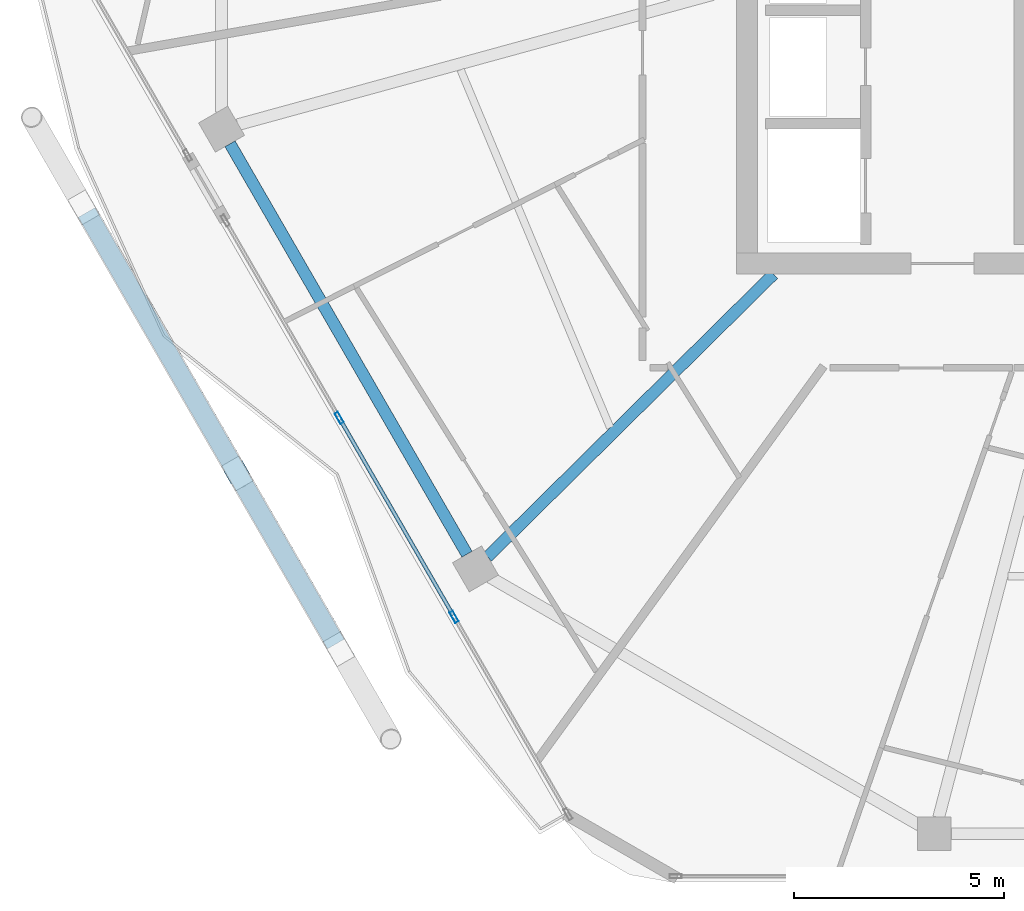
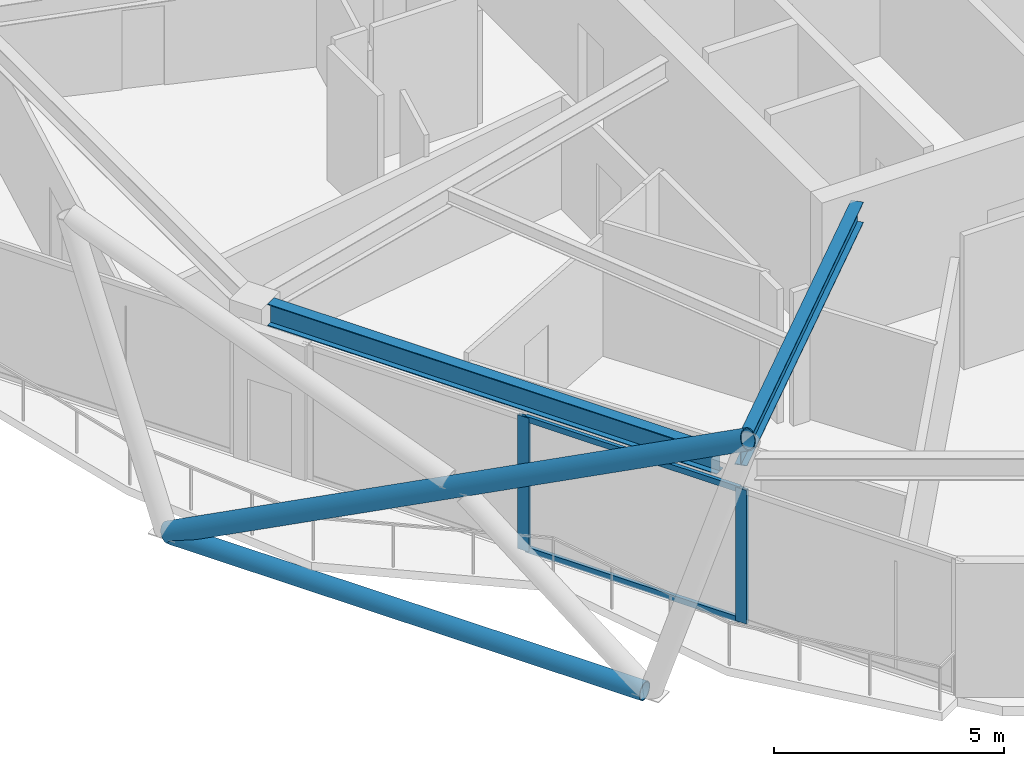
# One storey, part 3 of 24: 6 members, 2 beams, 1 element without a shape of its own.
"""IFC4 building model written with IfcOpenShell, lengths in metres."""

from ifc_helpers import new_model, si_unit, direction, frame, origin, origin_2d, place, context, subcontext, project, spatial, hollow_rectangle, hollow_circle, i_section, extrude, material, material_profile, profile_set, type_object, element, aggregate, save


model = new_model("IFC4")

# Units and contexts
model_context = context("Model", 3, precision=1e-05, world=origin(), true_north=direction((0.0, 1.0)))
body_context = subcontext(model_context, "Body", "Model", "MODEL_VIEW")
ifc_project = project(units=[si_unit("LENGTHUNIT", "METRE"), si_unit("AREAUNIT", "SQUARE_METRE"), si_unit("VOLUMEUNIT", "CUBIC_METRE"), si_unit("PLANEANGLEUNIT", "RADIAN"), si_unit("MASSUNIT", "GRAM", prefix="KILO")], contexts=[model_context])

# Site, building, storey
site_placement = place(None, origin())
site = spatial("IfcSite", under=ifc_project, at=site_placement, CompositionType="ELEMENT")
building_placement = place(site_placement, origin())
building = spatial("IfcBuilding", under=site, at=building_placement, Name="Zuhravey Tower", CompositionType="ELEMENT")
storey_placement = place(building_placement, frame((0.0, 0.0, 308.199951171875)))
storey = spatial("IfcBuildingStorey", under=building, at=storey_placement, Name="L78", CompositionType="ELEMENT", Elevation=308.199951171875)

# Curtain wall, members
ifc_material_1 = material(Name="Thermally broken anodised aluminium", Category="aluminium")
curtain_wall_type = type_object("IfcCurtainWallType", Name="Zone 3-4 High-Rise Curtain Wall CW4", PredefinedType="NOTDEFINED", material=ifc_material_1)
curtain_wall_placement = place(storey_placement, origin())
curtain_wall = element("IfcCurtainWall", 1, at=curtain_wall_placement, inside=storey, type_object=curtain_wall_type, Name="L78 CW4 CW-L78-F4-1", PredefinedType="NOTDEFINED")
ifc_material_2 = material(Name="Anodised aluminium", Category="aluminium")
ifc_material_profile_1 = material_profile(ifc_material_2, hollow_rectangle(XDim=0.090087890625, YDim=0.284912109375, WallThickness=0.0048828125, at=origin_2d()), Name="ALU-RHS-90x285x5")
ifc_profile_set_1 = profile_set([ifc_material_profile_1], Name="Anodised aluminium")
member_type_1 = type_object("IfcMemberType", Name="Curtain-Wall Mullion 90x180", PredefinedType="MULLION", material=ifc_profile_set_1)
member_1_placement = place(storey_placement, frame((18.538330078125, 14.096435546875, 0.0), z_axis=(0.0, 0.0, 1.0), x_axis=(-0.866026127729, -0.49999874609, 0.0)))
member_1 = element("IfcMember", 2, at=member_1_placement, type_object=member_type_1, Name="CW4 mullion 2", PredefinedType="MULLION", context=body_context, shape_type="SweptSolid", body=[
    extrude(hollow_rectangle(XDim=0.090087890625, YDim=0.284912109375, WallThickness=0.0048828125, at=origin_2d()), origin(), (0.0, 0.0, 1.0), 3.550048828125),
])
member_2_placement = place(storey_placement, frame((15.8056640625, 18.82958984375, 0.0), z_axis=(0.0, 0.0, 1.0), x_axis=(-0.866026127729, -0.49999874609, 0.0)))
member_2 = element("IfcMember", 3, at=member_2_placement, type_object=member_type_1, Name="CW4 mullion 3", PredefinedType="MULLION", context=body_context, shape_type="SweptSolid", body=[
    extrude(hollow_rectangle(XDim=0.090087890625, YDim=0.284912109375, WallThickness=0.0048828125, at=origin_2d()), origin(), (0.0, 0.0, 1.0), 3.550048828125),
])
ifc_material_profile_2 = material_profile(ifc_material_2, hollow_rectangle(XDim=0.090087890625, YDim=0.14990234375, WallThickness=0.0048828125, at=origin_2d()), Name="ALU-RHS-90x150x5")
ifc_profile_set_2 = profile_set([ifc_material_profile_2], Name="Anodised aluminium")
member_type_2 = type_object("IfcMemberType", Name="Curtain-Wall Transom 90x150", PredefinedType="USERDEFINED", material=ifc_profile_set_2)
member_3_placement = place(storey_placement, frame((18.515625, 14.135498046875, 0.045166015625), z_axis=(-0.499968833392, 0.866043397086, 0.0), x_axis=(-0.866043397086, -0.499968833392, 0.0)))
member_3 = element("IfcMember", 4, at=member_3_placement, type_object=member_type_2, Name="CW4 transom 2.1", ObjectType="TRANSOM", PredefinedType="USERDEFINED", context=body_context, shape_type="SweptSolid", body=[
    extrude(hollow_rectangle(XDim=0.090087890625, YDim=0.14990234375, WallThickness=0.0048828125, at=origin_2d()), origin(), (0.0, 0.0, 1.0), 5.375244140625),
])
member_4_placement = place(storey_placement, frame((18.515625, 14.135498046875, 3.505126953125), z_axis=(-0.499968833392, 0.866043397086, 0.0), x_axis=(-0.866043397086, -0.499968833392, 0.0)))
member_4 = element("IfcMember", 5, at=member_4_placement, type_object=member_type_2, Name="CW4 transom 2.2", ObjectType="TRANSOM", PredefinedType="USERDEFINED", context=body_context, shape_type="SweptSolid", body=[
    extrude(hollow_rectangle(XDim=0.090087890625, YDim=0.14990234375, WallThickness=0.0048828125, at=origin_2d()), origin(), (0.0, 0.0, 1.0), 5.375244140625),
])
aggregate(curtain_wall, [member_1, member_2, member_3, member_4])

# Members
ifc_material_3 = material(Name="Steel SM355", Category="steel")
ifc_material_profile_3 = material_profile(ifc_material_3, hollow_circle(Radius=0.228515625, WallThickness=0.02197265625, at=origin_2d()), Name="CHS-457.2x22")
ifc_profile_set_3 = profile_set([ifc_material_profile_3], Name="Steel SM355")
member_type_3 = type_object("IfcMemberType", Name="Exoskeleton Ring Tie CHS457x22", PredefinedType="CHORD", material=ifc_profile_set_3)
member_5_placement = place(storey_placement, frame((9.79736328125, 23.71630859375, -0.4638671875), z_axis=(0.499988670204, -0.866031944946, 0.0), x_axis=(0.866031944946, 0.499988670204, 0.0)))
element("IfcMember", 6, at=member_5_placement, inside=storey, type_object=member_type_3, Name="L78 Exoskeleton Face 4 Tie EXR1", PredefinedType="CHORD", context=body_context, shape_type="SweptSolid", body=[
    extrude(hollow_circle(Radius=0.228515625, WallThickness=0.02197265625, at=origin_2d()), origin(), (0.0, 0.0, 1.0), 11.854736328125),
])
ifc_material_profile_4 = material_profile(ifc_material_3, hollow_circle(Radius=0.25390625, WallThickness=0.02490234375, at=origin_2d()), Name="CHS-508.0x25")
ifc_profile_set_4 = profile_set([ifc_material_profile_4], Name="Steel SM355")
member_type_4 = type_object("IfcMemberType", Name="Exoskeleton Zone 4 Diagrid CHS508x25", PredefinedType="BRACE", material=ifc_profile_set_4)
member_6_placement = place(storey_placement, frame((9.74267578125, 23.810791015625, -0.447998046875), z_axis=(0.443626032457, -0.768361478759, 0.461320475684), x_axis=(0.866019388108, 0.500010419312, 0.0)))
element("IfcMember", 7, at=member_6_placement, inside=storey, type_object=member_type_4, Name="L78 Face 4 Diagrid Brace 2", PredefinedType="BRACE", context=body_context, shape_type="SweptSolid", body=[
    extrude(hollow_circle(Radius=0.25390625, WallThickness=0.02490234375, at=origin_2d()), origin(), (0.0, 0.0, 1.0), 16.4052734375),
])

# Beams
ifc_material_profile_5 = material_profile(ifc_material_3, i_section(OverallWidth=0.280029296875, OverallDepth=0.580078125, WebThickness=0.011962890625, FlangeThickness=0.01904296875, at=origin_2d()), Name="H-580x280x12x19")
ifc_profile_set_5 = profile_set([ifc_material_profile_5], Name="Steel SM355")
beam_type_1 = type_object("IfcBeamType", Name="Perimeter Ring Beam H580x280", PredefinedType="BEAM", material=ifc_profile_set_5)
beam_1_placement = place(storey_placement, frame((13.2080078125, 25.3486328125, 3.260009765625), z_axis=(0.500006198144, -0.866021825255, 0.0), x_axis=(0.866021825255, 0.500006198144, 0.0)))
element("IfcBeam", 8, at=beam_1_placement, inside=storey, type_object=beam_type_1, Name="L78 PB4 BM-L78-PB-07", PredefinedType="BEAM", context=body_context, shape_type="SweptSolid", body=[
    extrude(i_section(OverallWidth=0.280029296875, OverallDepth=0.580078125, WebThickness=0.011962890625, FlangeThickness=0.01904296875, at=origin_2d()), origin(), (0.0, 0.0, 1.0), 11.271240234375),
])
ifc_material_profile_6 = material_profile(ifc_material_3, i_section(OverallWidth=0.280029296875, OverallDepth=0.550048828125, WebThickness=0.010986328125, FlangeThickness=0.01806640625, at=origin_2d()), Name="H-550x280x11x18")
ifc_profile_set_6 = profile_set([ifc_material_profile_6], Name="Steel SM355")
beam_type_2 = type_object("IfcBeamType", Name="Radial Primary Girder H550x280", PredefinedType="BEAM", material=ifc_profile_set_6)
beam_2_placement = place(storey_placement, frame((26.134765625, 22.2470703125, 3.275146484375), z_axis=(-0.711153035666, -0.703037239314, 0.0), x_axis=(0.703037239314, -0.711153035666, 0.0)))
element("IfcBeam", 9, at=beam_2_placement, inside=storey, type_object=beam_type_2, Name="L78 RG4 BM-L78-RAD-08", PredefinedType="BEAM", context=body_context, shape_type="SweptSolid", body=[
    extrude(i_section(OverallWidth=0.280029296875, OverallDepth=0.550048828125, WebThickness=0.010986328125, FlangeThickness=0.01806640625, at=origin_2d()), origin(), (0.0, 0.0, 1.0), 9.566162109375),
])

save(model, "model.ifc")
